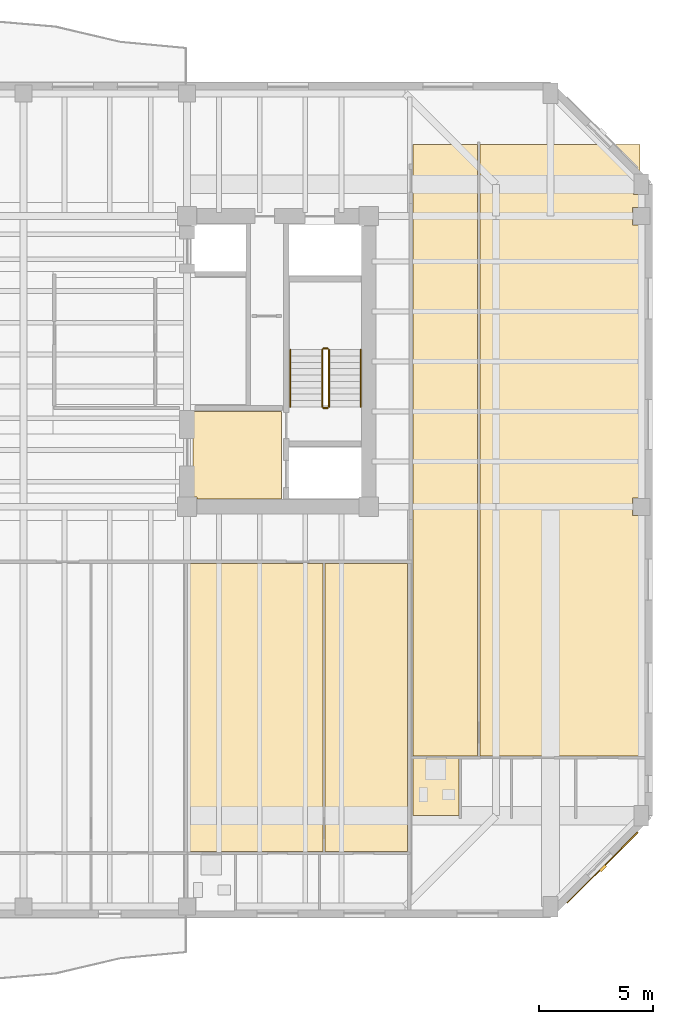
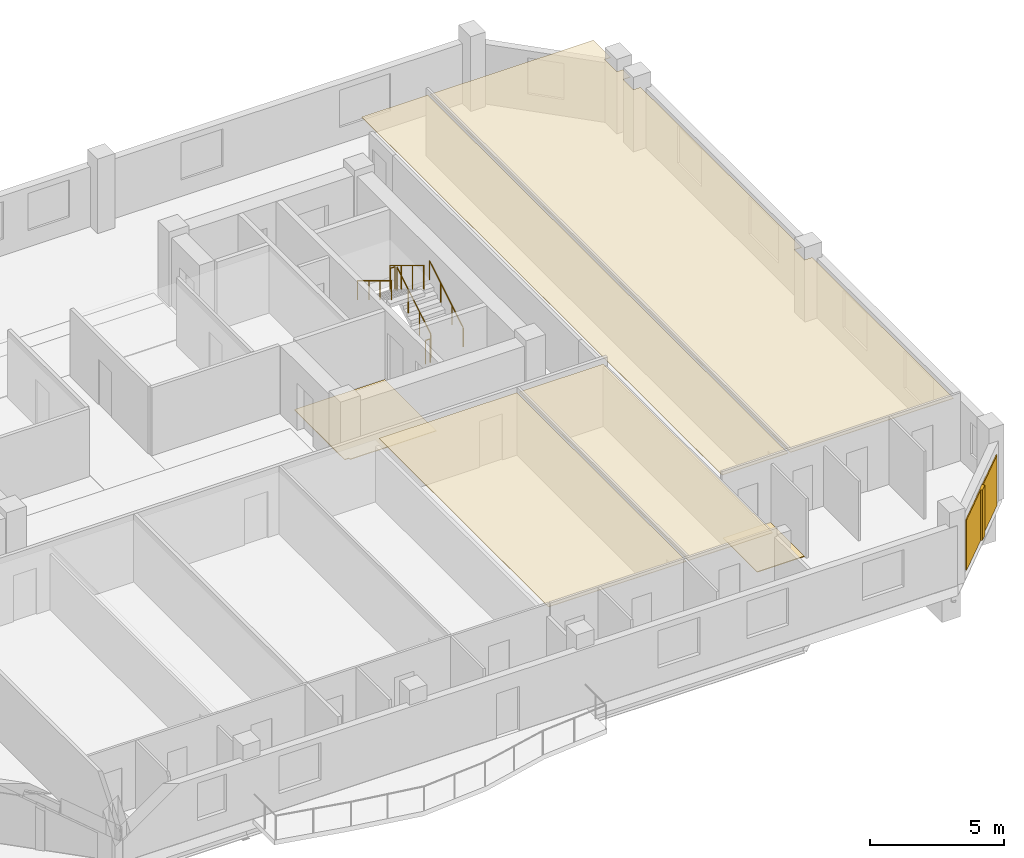
# One storey, part 9 of 11: 7 coverings, 6 railings, 1 shading device.
"""IFC4 building model written with IfcOpenShell, lengths in metres."""

from ifc_helpers import new_model, si_unit, direction, frame, origin, origin_2d, place, context, subcontext, project, spatial, polyline, rectangle, circle, outline, extrude, material, layer, layer_set, type_object, element, save


model = new_model("IFC4")

# Units and contexts
model_context = context("Model", 3, precision=1e-05, world=origin(), true_north=direction((0.0, 1.0)))
body_context = subcontext(model_context, "Body", "Model", "MODEL_VIEW")
ifc_project = project(units=[si_unit("LENGTHUNIT", "METRE"), si_unit("AREAUNIT", "SQUARE_METRE"), si_unit("VOLUMEUNIT", "CUBIC_METRE"), si_unit("PLANEANGLEUNIT", "RADIAN"), si_unit("MASSUNIT", "GRAM", prefix="KILO")], contexts=[model_context])

# Site, building, storey
site_placement = place(None, origin())
site = spatial("IfcSite", under=ifc_project, at=site_placement, CompositionType="ELEMENT")
building_placement = place(site_placement, origin())
building = spatial("IfcBuilding", under=site, at=building_placement, Name="Kranthara Brick Stack", CompositionType="ELEMENT")
storey_placement = place(building_placement, frame((0.0, 0.0, 227.89990234375)))
storey = spatial("IfcBuildingStorey", under=building, at=storey_placement, Name="L59", CompositionType="ELEMENT", Elevation=227.89990234375)

# Coverings
ifc_material_1 = material(Name="Perforated mineral-fibre acoustic ceiling tile", Category="other")
ifc_layer_1 = layer(ifc_material_1, 0.02490234375)
ifc_layer_set_1 = layer_set([ifc_layer_1], Name="Perforated mineral-fibre acoustic ceiling tile")
covering_type_1 = type_object("IfcCoveringType", Name="COV-CEIL-ACOUSTIC", PredefinedType="CEILING", material=ifc_layer_set_1)
covering_1_placement = place(storey_placement, frame((0.0, 0.0, 2.830078125)))
element("IfcCovering", 1, at=covering_1_placement, inside=storey, type_object=covering_type_1, Name="L59 Unit L59C 1-Bed Apartment Living Dining Acoustic Ceiling", PredefinedType="CEILING", context=body_context, shape_type="SweptSolid", body=[
    extrude(outline(polyline([(41.177001953125, 5.6298828125), (41.177001953125, 18.300048828125), (35.23291015625, 18.300048828125), (35.23291015625, 5.6298828125), (41.177001953125, 5.6298828125)])), origin(), (0.0, 0.0, 1.0), 0.02490234375),
])
covering_2_placement = place(storey_placement, frame((0.0, 0.0, 2.830078125)))
element("IfcCovering", 2, at=covering_2_placement, inside=storey, type_object=covering_type_1, Name="L59 Unit L59C Private Study Room Acoustic Ceiling", PredefinedType="CEILING", context=body_context, shape_type="SweptSolid", body=[
    extrude(outline(polyline([(44.89990234375, 5.6298828125), (44.89990234375, 18.300048828125), (41.277099609375, 18.300048828125), (41.277099609375, 5.6298828125), (44.89990234375, 5.6298828125)])), origin(), (0.0, 0.0, 1.0), 0.02490234375),
])
covering_3_placement = place(storey_placement, frame((0.0, 0.0, 2.830078125)))
element("IfcCovering", 3, at=covering_3_placement, inside=storey, type_object=covering_type_1, Name="L59 Unit L59D 2-Bed Apartment Living Dining Acoustic Ceiling", PredefinedType="CEILING", context=body_context, shape_type="SweptSolid", body=[
    extrude(outline(polyline([(47.987060546875, 9.830078125), (47.987060546875, 36.75), (45.139892578125, 36.75), (45.139892578125, 9.830078125), (47.987060546875, 9.830078125)])), origin(), (0.0, 0.0, 1.0), 0.02490234375),
])
covering_4_placement = place(storey_placement, frame((0.0, 0.0, 2.830078125)))
element("IfcCovering", 4, at=covering_4_placement, inside=storey, type_object=covering_type_1, Name="L59 Unit L59D Private Study Room Acoustic Ceiling", PredefinedType="CEILING", context=body_context, shape_type="SweptSolid", body=[
    extrude(outline(polyline([(48.0869140625, 36.75), (55.1298828125, 36.75), (55.1298828125, 35.4599609375), (54.864990234375, 35.4599609375), (54.864990234375, 34.5400390625), (55.1298828125, 34.5400390625), (55.1298828125, 33.985107421875), (54.81494140625, 33.985107421875), (54.81494140625, 33.215087890625), (55.1298828125, 33.215087890625), (55.1298828125, 21.18505859375), (54.81494140625, 21.18505859375), (54.81494140625, 20.4150390625), (55.1298828125, 20.4150390625), (55.1298828125, 9.830078125), (48.0869140625, 9.830078125), (48.0869140625, 36.75)])), origin(), (0.0, 0.0, 1.0), 0.02490234375),
])
ifc_material_2 = material(Name="Warm buff kiln-fired brick slip rainscreen", Category="masonry")
ifc_layer_2 = layer(ifc_material_2, 0.044921875)
ifc_layer_set_2 = layer_set([ifc_layer_2], Name="Warm buff kiln-fired brick slip rainscreen")
covering_type_2 = type_object("IfcCoveringType", Name="COV-CLAD-BRICK", PredefinedType="CLADDING", material=ifc_layer_set_2)
covering_5_placement = place(storey_placement, frame((53.4873046875, 4.91259765625, 0.05029296875), z_axis=(0.0, 0.0, 1.0), x_axis=(-0.707106781187, -0.707106781187, 0.0)))
element("IfcCovering", 5, at=covering_5_placement, inside=storey, type_object=covering_type_2, Name="L59 Chamfer Brick Rainscreen Cladding SE", PredefinedType="CLADDING", context=body_context, shape_type="SweptSolid", body=[
    extrude(rectangle(XDim=4.39892578125, YDim=0.044921875, at=origin_2d()), origin(), (0.0, 0.0, 1.0), 2.300048828125),
])
ifc_material_3 = material(Name="Honed terrazzo and porcelain floor finish", Category="stone")
ifc_layer_3 = layer(ifc_material_3, 0.030029296875)
ifc_layer_set_3 = layer_set([ifc_layer_3], Name="Honed terrazzo and porcelain floor finish")
covering_type_3 = type_object("IfcCoveringType", Name="COV-FLOR-STONE", PredefinedType="FLOORING", material=ifc_layer_set_3)
covering_6_placement = place(storey_placement, origin())
element("IfcCovering", 6, at=covering_6_placement, inside=storey, type_object=covering_type_3, Name="L59 Lift Lobby Stone Flooring", PredefinedType="FLOORING", context=body_context, shape_type="SweptSolid", body=[
    extrude(outline(polyline([(35.449951171875, 25.0), (39.35009765625, 25.0), (39.35009765625, 21.14990234375), (35.635009765625, 21.14990234375), (35.635009765625, 21.235107421875), (35.449951171875, 21.235107421875), (35.449951171875, 25.0)])), origin(), (0.0, 0.0, 1.0), 0.030029296875),
])
covering_7_placement = place(storey_placement, origin())
element("IfcCovering", 7, at=covering_7_placement, inside=storey, type_object=covering_type_3, Name="L59 Wet Room Porcelain Flooring", PredefinedType="FLOORING", context=body_context, shape_type="SweptSolid", body=[
    extrude(outline(polyline([(47.174072265625, 7.199951171875), (47.174072265625, 9.75), (45.139892578125, 9.75), (45.139892578125, 7.199951171875), (47.174072265625, 7.199951171875)])), origin(), (0.0, 0.0, 1.0), 0.030029296875),
])

# Railings
ifc_material_4 = material(Name="Painted galvanized steel stair guardrail", Category="steel")
railing_type_1 = type_object("IfcRailingType", Name="RL-STAIR-GUARD-1100", PredefinedType="GUARDRAIL", material=ifc_material_4)
railing_1_placement = place(storey_placement, frame((41.449951171875, 25.199951171875, 0.170166015625)))
element("IfcRailing", 8, at=railing_1_placement, inside=storey, type_object=railing_type_1, Name="L59 ST02 stair guard 1", PredefinedType="GUARDRAIL", context=body_context, shape_type="SweptSolid", body=[
    extrude(circle(Radius=0.02392578125, at=origin_2d()), frame((0.0, 0.0, 1.076171875), z_axis=(0.0, 0.85478489116, 0.518982456201), x_axis=(-1.0, 0.0, 0.0)), (0.0, 0.0, 1.0), 2.9482421875),
    extrude(circle(Radius=0.02099609375, at=origin_2d()), origin(), (0.0, 0.0, 1.0), 1.052001953125),
    extrude(circle(Radius=0.02099609375, at=origin_2d()), frame((0.0, 0.840087890625, 0.510009765625)), (0.0, 0.0, 1.0), 1.052001953125),
    extrude(circle(Radius=0.02099609375, at=origin_2d()), frame((0.0, 1.679931640625, 1.02001953125)), (0.0, 0.0, 1.0), 1.052001953125),
    extrude(circle(Radius=0.02099609375, at=origin_2d()), frame((0.0, 2.52001953125, 1.530029296875)), (0.0, 0.0, 1.0), 1.052001953125),
])
railing_2_placement = place(storey_placement, frame((41.39990234375, 27.77001953125, 1.7001953125)))
element("IfcRailing", 9, at=railing_2_placement, inside=storey, type_object=railing_type_1, Name="L59 ST02 stair guard 2", PredefinedType="GUARDRAIL", context=body_context, shape_type="SweptSolid", body=[
    extrude(circle(Radius=0.02392578125, at=origin_2d()), frame((0.0, 0.0, 1.076171875), z_axis=(-1.0, 0.0, 0.0), x_axis=(0.0, -1.0, 0.0)), (0.0, 0.0, 1.0), 0.199951171875),
    extrude(circle(Radius=0.02099609375, at=origin_2d()), origin(), (0.0, 0.0, 1.0), 1.052001953125),
    extrude(circle(Radius=0.02099609375, at=origin_2d()), frame((-0.199951171875, 0.0, 0.0)), (0.0, 0.0, 1.0), 1.052001953125),
])
railing_3_placement = place(storey_placement, frame((41.14990234375, 27.719970703125, 1.8701171875)))
element("IfcRailing", 10, at=railing_3_placement, inside=storey, type_object=railing_type_1, Name="L59 ST02 stair guard 3", PredefinedType="GUARDRAIL", context=body_context, shape_type="SweptSolid", body=[
    extrude(circle(Radius=0.02392578125, at=origin_2d()), frame((0.0, 0.0, 1.076171875), z_axis=(0.0, -0.85478489116, 0.518982456201), x_axis=(1.0, 0.0, 0.0)), (0.0, 0.0, 1.0), 2.9482421875),
    extrude(circle(Radius=0.02099609375, at=origin_2d()), origin(), (0.0, 0.0, 1.0), 1.052001953125),
    extrude(circle(Radius=0.02099609375, at=origin_2d()), frame((0.0, -0.840087890625, 0.510009765625)), (0.0, 0.0, 1.0), 1.052001953125),
    extrude(circle(Radius=0.02099609375, at=origin_2d()), frame((0.0, -1.679931640625, 1.02001953125)), (0.0, 0.0, 1.0), 1.052001953125),
    extrude(circle(Radius=0.02099609375, at=origin_2d()), frame((0.0, -2.52001953125, 1.530029296875)), (0.0, 0.0, 1.0), 1.052001953125),
])
railing_4_placement = place(storey_placement, frame((41.39990234375, 25.14990234375, 0.0)))
element("IfcRailing", 11, at=railing_4_placement, inside=storey, type_object=railing_type_1, Name="L59 ST02 stair guard 4", PredefinedType="GUARDRAIL", context=body_context, shape_type="SweptSolid", body=[
    extrude(circle(Radius=0.02392578125, at=origin_2d()), frame((0.0, 0.0, 1.076171875), z_axis=(-1.0, 0.0, 0.0), x_axis=(0.0, -1.0, 0.0)), (0.0, 0.0, 1.0), 0.199951171875),
    extrude(circle(Radius=0.02099609375, at=origin_2d()), origin(), (0.0, 0.0, 1.0), 1.052001953125),
    extrude(circle(Radius=0.02099609375, at=origin_2d()), frame((-0.199951171875, 0.0, 0.0)), (0.0, 0.0, 1.0), 1.052001953125),
])
ifc_material_5 = material(Name="Brushed stainless steel tubular handrail", Category="steel")
railing_type_2 = type_object("IfcRailingType", Name="RL-STAIR-HAND-900", PredefinedType="HANDRAIL", material=ifc_material_5)
railing_5_placement = place(storey_placement, frame((42.85009765625, 25.199951171875, 0.170166015625)))
element("IfcRailing", 12, at=railing_5_placement, inside=storey, type_object=railing_type_2, Name="L59 ST02 stair handrail 1", PredefinedType="HANDRAIL", context=body_context, shape_type="SweptSolid", body=[
    extrude(circle(Radius=0.02392578125, at=origin_2d()), frame((0.0, 0.0, 0.8759765625), z_axis=(0.0, 0.85478489116, 0.518982456201), x_axis=(-1.0, 0.0, 0.0)), (0.0, 0.0, 1.0), 2.9482421875),
    extrude(circle(Radius=0.02099609375, at=origin_2d()), origin(), (0.0, 0.0, 1.0), 0.851806640625),
    extrude(circle(Radius=0.02099609375, at=origin_2d()), frame((0.0, 0.840087890625, 0.510009765625)), (0.0, 0.0, 1.0), 0.851806640625),
    extrude(circle(Radius=0.02099609375, at=origin_2d()), frame((0.0, 1.679931640625, 1.02001953125)), (0.0, 0.0, 1.0), 0.851806640625),
    extrude(circle(Radius=0.02099609375, at=origin_2d()), frame((0.0, 2.52001953125, 1.530029296875)), (0.0, 0.0, 1.0), 0.851806640625),
])
railing_6_placement = place(storey_placement, frame((39.75, 27.719970703125, 1.8701171875)))
element("IfcRailing", 13, at=railing_6_placement, inside=storey, type_object=railing_type_2, Name="L59 ST02 stair handrail 2", PredefinedType="HANDRAIL", context=body_context, shape_type="SweptSolid", body=[
    extrude(circle(Radius=0.02392578125, at=origin_2d()), frame((0.0, 0.0, 0.8759765625), z_axis=(0.0, -0.85478489116, 0.518982456201), x_axis=(1.0, 0.0, 0.0)), (0.0, 0.0, 1.0), 2.9482421875),
    extrude(circle(Radius=0.02099609375, at=origin_2d()), origin(), (0.0, 0.0, 1.0), 0.851806640625),
    extrude(circle(Radius=0.02099609375, at=origin_2d()), frame((0.0, -0.840087890625, 0.510009765625)), (0.0, 0.0, 1.0), 0.851806640625),
    extrude(circle(Radius=0.02099609375, at=origin_2d()), frame((0.0, -1.679931640625, 1.02001953125)), (0.0, 0.0, 1.0), 0.851806640625),
    extrude(circle(Radius=0.02099609375, at=origin_2d()), frame((0.0, -2.52001953125, 1.530029296875)), (0.0, 0.0, 1.0), 0.851806640625),
])

# Shading device
ifc_material_6 = material(Name="Kiln-fired terracotta aerodynamic wind fin", Category="masonry")
shading_device_type = type_object("IfcShadingDeviceType", Name="SHD-BAFFLE-CORNER", PredefinedType="SHUTTER", material=ifc_material_6)
shading_device_placement = place(storey_placement, frame((53.508544921875, 4.8916015625, 0.05029296875), z_axis=(0.0, 0.0, 1.0), x_axis=(-0.707106781187, -0.707106781187, 0.0)))
element("IfcShadingDevice", 14, at=shading_device_placement, inside=storey, type_object=shading_device_type, Name="L59 Chamfer Wind-Baffle Fin SE", PredefinedType="SHUTTER", context=body_context, shape_type="SweptSolid", body=[
    extrude(rectangle(XDim=0.35009765625, YDim=0.1201171875, at=origin_2d()), origin(), (0.0, 0.0, 1.0), 2.300048828125),
])

save(model, "model.ifc")
